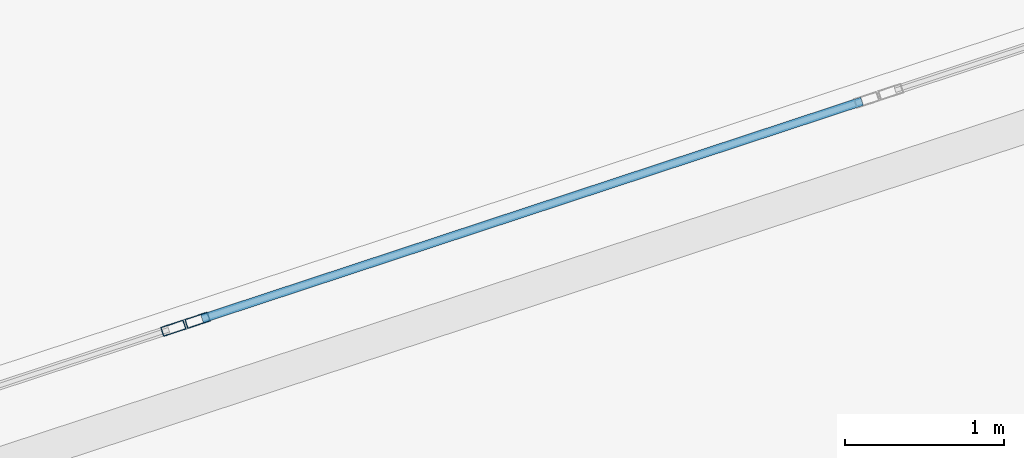
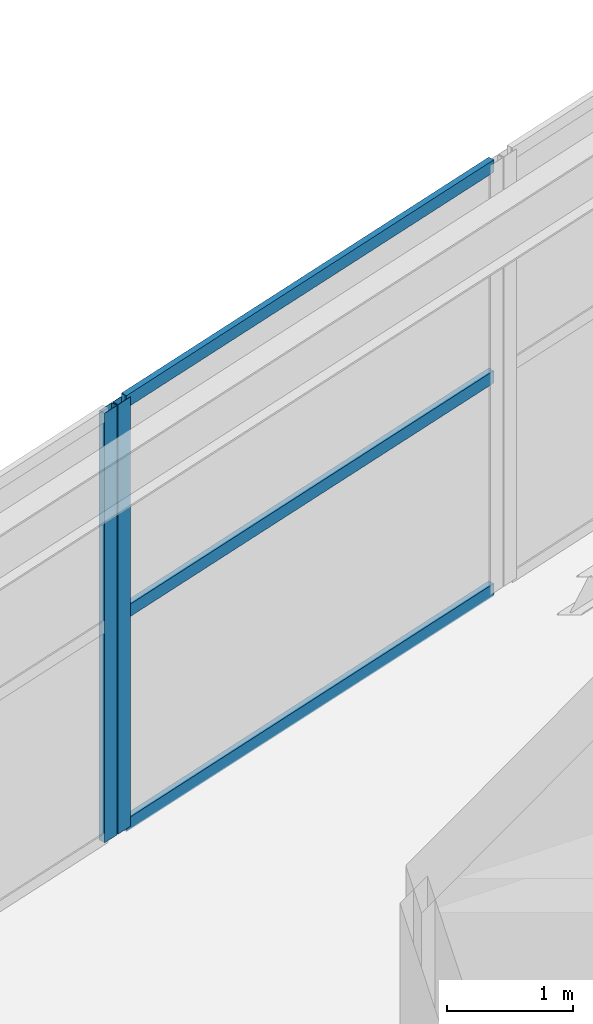
# One storey, part 65 of 126: 5 members, 2 elements without a shape of their own.
"""IFC4 building model written with IfcOpenShell, lengths in metres."""

import ifcopenshell
import ifcopenshell.guid

model = None  # the IFC model being written
_history = None  # IfcOwnerHistory: only IFC2X3 demands one
_inside = {}  # id of a spatial element -> (the spatial element, [elements in it])
_under = {}  # id of a project, library or spatial element -> (it, [spatial elements below it])
_declared = {}  # id of a project -> (the project, [libraries it declares])
_typed = {}  # id of a type object -> (the type object, [elements of that type])
_made_of = {}  # id of a material, layer set ... -> (it, [elements and type objects made of it])


def new_model(schema):
    """Start an empty IFC model of exactly this schema.

    Asked for "IFC4X3", IfcOpenShell would pick the latest addendum, in which some entities
    have other attributes; the version numbers below select the first issue.
    IFC2X3 requires an IfcOwnerHistory on every rooted entity: one is made here for all.
    """
    global model, _history
    if schema == "IFC4X3":
        model = ifcopenshell.file(schema_version=(4, 3, 0, 0))
    else:
        model = ifcopenshell.file(schema=schema)
    _inside.clear()
    _under.clear()
    _declared.clear()
    _typed.clear()
    _made_of.clear()
    _history = None
    if model.schema == "IFC2X3":
        org = make("IfcOrganization", Name="unknown")
        user = make(
            "IfcPersonAndOrganization",
            ThePerson=make("IfcPerson", FamilyName="unknown"),
            TheOrganization=org,
        )
        app = make(
            "IfcApplication",
            ApplicationDeveloper=org,
            Version="unknown",
            ApplicationFullName="unknown",
            ApplicationIdentifier="unknown",
        )
        _history = make(
            "IfcOwnerHistory",
            OwningUser=user,
            OwningApplication=app,
            ChangeAction="ADDED",
            CreationDate=0,
        )
    return model


def make(cls, **values):
    """One entity of the class cls with the attributes given. An attribute that is None is left unset."""
    return model.create_entity(
        cls, **{name: value for name, value in values.items() if value is not None}
    )


def rooted(cls, **values):
    """An entity with a GlobalId (a new one), such as an element, a storey or a relation."""
    return make(cls, GlobalId=ifcopenshell.guid.new(), OwnerHistory=_history, **values)


def si_unit(unit_type, name, prefix=None):
    """IfcSIUnit, for example si_unit("LENGTHUNIT", "METRE", prefix="MILLI")."""
    return make("IfcSIUnit", UnitType=unit_type, Prefix=prefix, Name=name)


def assignment(units):
    """IfcUnitAssignment: the units of a project."""
    return None if units is None else make("IfcUnitAssignment", Units=units)


def point(xyz):
    """IfcCartesianPoint."""
    return None if xyz is None else make("IfcCartesianPoint", Coordinates=xyz)


def direction(xyz):
    """IfcDirection."""
    return None if xyz is None else make("IfcDirection", DirectionRatios=xyz)


def frame(location, z_axis=None, x_axis=None):
    """IfcAxis2Placement3D, a coordinate frame: its origin and axes. An axis left out is left unset."""
    return make(
        "IfcAxis2Placement3D",
        Location=point(location),
        Axis=direction(z_axis),
        RefDirection=direction(x_axis),
    )


def frame_2d(location, x_axis=None):
    """IfcAxis2Placement2D, a coordinate frame in the plane: its origin and x axis."""
    return make(
        "IfcAxis2Placement2D", Location=point(location), RefDirection=direction(x_axis)
    )


def origin():
    """The frame at (0, 0, 0) with its axes left unset."""
    return frame((0.0, 0.0, 0.0))


def origin_2d():
    """The frame at (0, 0) in the plane with its x axis left unset."""
    return frame_2d((0.0, 0.0))


def place(relative_to, where):
    """IfcLocalPlacement: puts the frame where relative to a parent placement (None: the world)."""
    return make(
        "IfcLocalPlacement", PlacementRelTo=relative_to, RelativePlacement=where
    )


def context(
    kind, dimensions, precision=None, world=None, true_north=None, identifier=None
):
    """IfcGeometricRepresentationContext, for example the 3D "Model" context."""
    return make(
        "IfcGeometricRepresentationContext",
        ContextIdentifier=identifier,
        ContextType=kind,
        CoordinateSpaceDimension=dimensions,
        Precision=precision,
        WorldCoordinateSystem=world,
        TrueNorth=true_north,
    )


def subcontext(parent, identifier, kind, view, scale=None):
    """IfcGeometricRepresentationSubContext, for example "Body" below "Model"."""
    return make(
        "IfcGeometricRepresentationSubContext",
        ContextIdentifier=identifier,
        ContextType=kind,
        ParentContext=parent,
        TargetScale=scale,
        TargetView=view,
    )


def project(units=None, contexts=None):
    """IfcProject with its units and contexts."""
    return rooted(
        "IfcProject",
        Name="project",
        RepresentationContexts=contexts,
        UnitsInContext=assignment(units),
    )


def spatial(cls, under=None, at=None, **own):
    """A site, building, storey or space (cls), placed at a placement, below another one or the project."""
    s = rooted(cls, ObjectPlacement=at, **own)
    if under is not None:
        _under.setdefault(under.id(), (under, []))[1].append(s)
    return s


def profile(cls, at=None, kind="AREA", **sizes):
    """A parametric profile (cls). Its sizes go by their IFC names, for example OverallWidth=200.0."""
    return make(cls, ProfileType=kind, Position=at, **sizes)


def hollow_rectangle(**sizes):
    """IfcRectangleHollowProfileDef."""
    return profile("IfcRectangleHollowProfileDef", **sizes)


def extrude(swept, where, along, depth):
    """IfcExtrudedAreaSolid: the profile swept, set in the frame where, extruded along a direction by depth."""
    return make(
        "IfcExtrudedAreaSolid",
        SweptArea=swept,
        Position=where,
        ExtrudedDirection=direction(along),
        Depth=depth,
    )


def shape(context_of_items, identifier, shape_type, items):
    """IfcShapeRepresentation: the items that make up one representation, for example the "Body"."""
    return make(
        "IfcShapeRepresentation",
        ContextOfItems=context_of_items,
        RepresentationIdentifier=identifier,
        RepresentationType=shape_type,
        Items=items,
    )


def material(Name=None, Category=None):
    """IfcMaterial."""
    return make("IfcMaterial", Name=Name, Category=Category)


def layer(
    of_material, thickness, ventilated=None, Name=None, Category=None, Priority=None
):
    """IfcMaterialLayer: one layer of a wall or slab, of a material (None: an air gap)."""
    return make(
        "IfcMaterialLayer",
        Material=of_material,
        LayerThickness=thickness,
        IsVentilated=ventilated,
        Name=Name,
        Category=Category,
        Priority=Priority,
    )


def layer_set(layers, Name=None):
    """IfcMaterialLayerSet."""
    return make("IfcMaterialLayerSet", MaterialLayers=layers, LayerSetName=Name)


def material_profile(
    of_material, cross_section, Name=None, Category=None, Priority=None
):
    """IfcMaterialProfile: a cross section and its material."""
    return make(
        "IfcMaterialProfile",
        Name=Name,
        Material=of_material,
        Profile=cross_section,
        Priority=Priority,
        Category=Category,
    )


def profile_set(profiles, Name=None, composite=None):
    """IfcMaterialProfileSet."""
    return make(
        "IfcMaterialProfileSet",
        Name=Name,
        MaterialProfiles=profiles,
        CompositeProfile=composite,
    )


def made_of(thing, what):
    """Note that an element or type object is made of a material, layer set ...; save() writes the relation."""
    if what is not None:
        _made_of.setdefault(what.id(), (what, []))[1].append(thing)
    return thing


def type_object(cls, material=None, **own):
    """A type object (cls), such as IfcWallType, which elements share."""
    return made_of(rooted(cls, **own), material)


def element(
    cls,
    number,
    at=None,
    inside=None,
    cuts=None,
    type_object=None,
    material=None,
    context=None,
    identifier="Body",
    shape_type=None,
    held_by="IfcProductDefinitionShape",
    body=None,
    shapes=None,
    **own,
):
    """One element of the class cls, such as IfcWall. Its Tag is "e" and its number.

    at: its placement. inside: the storey or other place that contains it. cuts: it is an
    opening in that element (IfcRelVoidsElement). A single representation is given by context,
    identifier, shape_type and body (its items); several are given by shapes. held_by: the class
    of the entity that holds the representations. save() writes the other relations.
    """
    e = rooted(cls, Tag="e%d" % number, ObjectPlacement=at, **own)
    if body is not None:
        shapes = [shape(context, identifier, shape_type, body)]
    if shapes is not None:
        e.Representation = make(held_by, Representations=shapes)
    if inside is not None:
        _inside.setdefault(inside.id(), (inside, []))[1].append(e)
    if cuts is not None:
        rooted(
            "IfcRelVoidsElement", RelatingBuildingElement=cuts, RelatedOpeningElement=e
        )
    if type_object is not None:
        _typed.setdefault(type_object.id(), (type_object, []))[1].append(e)
    return made_of(e, material)


def aggregate(whole, parts):
    """IfcRelAggregates: a whole, such as a stair, and the parts it consists of."""
    return rooted("IfcRelAggregates", RelatingObject=whole, RelatedObjects=parts)


def save(model, path):
    """Write the relations noted so far, then the file.

    IfcRelAggregates (storeys below a building ...), IfcRelContainedInSpatialStructure (elements
    in a storey), IfcRelDefinesByType, IfcRelAssociatesMaterial and IfcRelDeclares: one each for
    every whole, place, type object, material and project.
    """
    for whole, parts in _under.values():
        aggregate(whole, parts)
    for where, things in _inside.values():
        rooted(
            "IfcRelContainedInSpatialStructure",
            RelatedElements=things,
            RelatingStructure=where,
        )
    for kind, things in _typed.values():
        rooted("IfcRelDefinesByType", RelatedObjects=things, RelatingType=kind)
    for what, things in _made_of.values():
        rooted("IfcRelAssociatesMaterial", RelatedObjects=things, RelatingMaterial=what)
    for by, libraries in _declared.values():
        rooted("IfcRelDeclares", RelatingContext=by, RelatedDefinitions=libraries)
    model.write(path)


model = new_model("IFC4")

# Units and contexts
model_context = context("Model", 3, precision=1e-05, world=origin(), true_north=direction((0.0, 1.0)))
body_context = subcontext(model_context, "Body", "Model", "MODEL_VIEW")
ifc_project = project(units=[si_unit("LENGTHUNIT", "METRE"), si_unit("AREAUNIT", "SQUARE_METRE"), si_unit("VOLUMEUNIT", "CUBIC_METRE"), si_unit("PLANEANGLEUNIT", "RADIAN"), si_unit("MASSUNIT", "GRAM", prefix="KILO")], contexts=[model_context])

# Site, building, storey
site_placement = place(None, origin())
site = spatial("IfcSite", under=ifc_project, at=site_placement, CompositionType="ELEMENT")
building_placement = place(site_placement, origin())
building = spatial("IfcBuilding", under=site, at=building_placement, Name="Kalgoora Escarpment Arena", CompositionType="ELEMENT")
storey_placement = place(building_placement, frame((0.0, 0.0, 18.89990234375)))
storey = spatial("IfcBuildingStorey", under=building, at=storey_placement, Name="L04", CompositionType="ELEMENT", Elevation=18.89990234375)

# Curtain wall, member
ifc_material_1 = material(Name=" Champagne anodised aluminium & double-glazed low-E", Category="aluminium")
ifc_layer_1 = layer(ifc_material_1, 0.14990234375)
ifc_layer_set_1 = layer_set([ifc_layer_1], Name="CW-UNIT-15")
curtain_wall_type_1 = type_object("IfcCurtainWallType", Name="CW-UNIT-15", PredefinedType="NOTDEFINED", material=ifc_layer_set_1)
curtain_wall_1_placement = place(storey_placement, origin())
curtain_wall_1 = element("IfcCurtainWall", 1, at=curtain_wall_1_placement, inside=storey, type_object=curtain_wall_type_1, Name="L04 unitised facade curtain wall 154", PredefinedType="NOTDEFINED")
ifc_material_2 = material(Name="Anodised aluminium 6063-T6", Category="aluminium")
ifc_material_profile_1 = material_profile(ifc_material_2, hollow_rectangle(XDim=0.06005859375, YDim=0.14990234375, WallThickness=0.00341796875, at=origin_2d()))
ifc_profile_set_1 = profile_set([ifc_material_profile_1], Name="Anodised aluminium 6063-T6")
member_type_1 = type_object("IfcMemberType", Name="MEM-CW-MULL-150", PredefinedType="MULLION", material=ifc_profile_set_1)
member_1_placement = place(storey_placement, frame((60.52685546875, 115.1826171875, 0.02001953125), z_axis=(0.0, 0.0, 1.0), x_axis=(-0.312985861452, 0.949757785191, 0.0)))
member_1 = element("IfcMember", 2, at=member_1_placement, type_object=member_type_1, Name="CW-15 mullion 2", PredefinedType="MULLION", context=body_context, shape_type="SweptSolid", body=[
    extrude(hollow_rectangle(XDim=0.06005859375, YDim=0.14990234375, WallThickness=0.00341796875, at=origin_2d()), origin(), (0.0, 0.0, 1.0), 4.16015625),
])
aggregate(curtain_wall_1, [member_1])

# Curtain wall, members
ifc_material_3 = material(Name=" Champagne anodised aluminium & double-glazed low-E", Category="aluminium")
ifc_layer_2 = layer(ifc_material_3, 0.154052734375)
ifc_layer_set_2 = layer_set([ifc_layer_2], Name="CW-UNIT-16")
curtain_wall_type_2 = type_object("IfcCurtainWallType", Name="CW-UNIT-16", PredefinedType="NOTDEFINED", material=ifc_layer_set_2)
curtain_wall_2_placement = place(storey_placement, origin())
curtain_wall_2 = element("IfcCurtainWall", 3, at=curtain_wall_2_placement, inside=storey, type_object=curtain_wall_type_2, Name="L04 unitised facade curtain wall 155", PredefinedType="NOTDEFINED")
member_2_placement = place(storey_placement, frame((60.678955078125, 115.232666015625, 0.02001953125), z_axis=(0.0, 0.0, 1.0), x_axis=(-0.312989939956, 0.94975644114, 0.0)))
member_2 = element("IfcMember", 4, at=member_2_placement, type_object=member_type_1, Name="CW-16 mullion 1", PredefinedType="MULLION", context=body_context, shape_type="SweptSolid", body=[
    extrude(hollow_rectangle(XDim=0.06005859375, YDim=0.14990234375, WallThickness=0.00341796875, at=origin_2d()), origin(), (0.0, 0.0, 1.0), 4.16015625),
])
ifc_material_4 = material(Name="Anodised aluminium 6063-T6", Category="aluminium")
ifc_material_profile_2 = material_profile(ifc_material_4, hollow_rectangle(XDim=0.054931640625, YDim=0.1201171875, WallThickness=0.003173828125, at=origin_2d()))
ifc_profile_set_2 = profile_set([ifc_material_profile_2], Name="Anodised aluminium 6063-T6")
member_type_2 = type_object("IfcMemberType", Name="MEM-CW-TRAN-120", PredefinedType="USERDEFINED", material=ifc_profile_set_2)
member_3_placement = place(storey_placement, frame((60.707275390625, 115.2421875, 0.047607421875), z_axis=(0.949765521885, 0.312962383423, 0.0), x_axis=(-0.312962383423, 0.949765521885, 0.0)))
member_3 = element("IfcMember", 5, at=member_3_placement, type_object=member_type_2, Name="CW-16 transom 1.1", ObjectType="TRANSOM", PredefinedType="USERDEFINED", context=body_context, shape_type="SweptSolid", body=[
    extrude(hollow_rectangle(XDim=0.054931640625, YDim=0.1201171875, WallThickness=0.003173828125, at=origin_2d()), origin(), (0.0, 0.0, 1.0), 4.376220703125),
])
member_4_placement = place(storey_placement, frame((60.707275390625, 115.2421875, 2.110107421875), z_axis=(0.949765521885, 0.312962383423, 0.0), x_axis=(-0.312962383423, 0.949765521885, 0.0)))
member_4 = element("IfcMember", 6, at=member_4_placement, type_object=member_type_2, Name="CW-16 transom 1.2", ObjectType="TRANSOM", PredefinedType="USERDEFINED", context=body_context, shape_type="SweptSolid", body=[
    extrude(hollow_rectangle(XDim=0.054931640625, YDim=0.1201171875, WallThickness=0.003173828125, at=origin_2d()), origin(), (0.0, 0.0, 1.0), 4.376220703125),
])
member_5_placement = place(storey_placement, frame((60.707275390625, 115.2421875, 4.152587890625), z_axis=(0.949765521885, 0.312962383423, 0.0), x_axis=(-0.312962383423, 0.949765521885, 0.0)))
member_5 = element("IfcMember", 7, at=member_5_placement, type_object=member_type_2, Name="CW-16 transom 1.3", ObjectType="TRANSOM", PredefinedType="USERDEFINED", context=body_context, shape_type="SweptSolid", body=[
    extrude(hollow_rectangle(XDim=0.054931640625, YDim=0.1201171875, WallThickness=0.003173828125, at=origin_2d()), origin(), (0.0, 0.0, 1.0), 4.376220703125),
])
aggregate(curtain_wall_2, [member_2, member_3, member_4, member_5])

save(model, "model.ifc")
